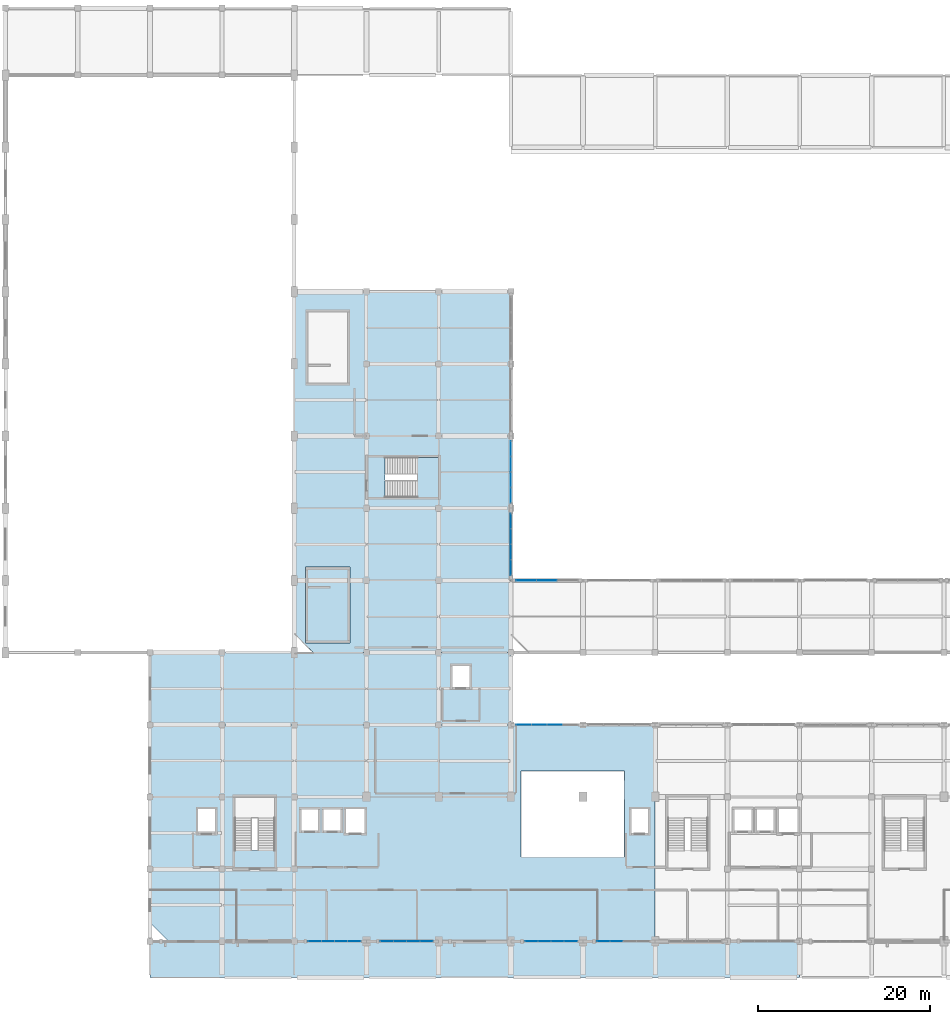
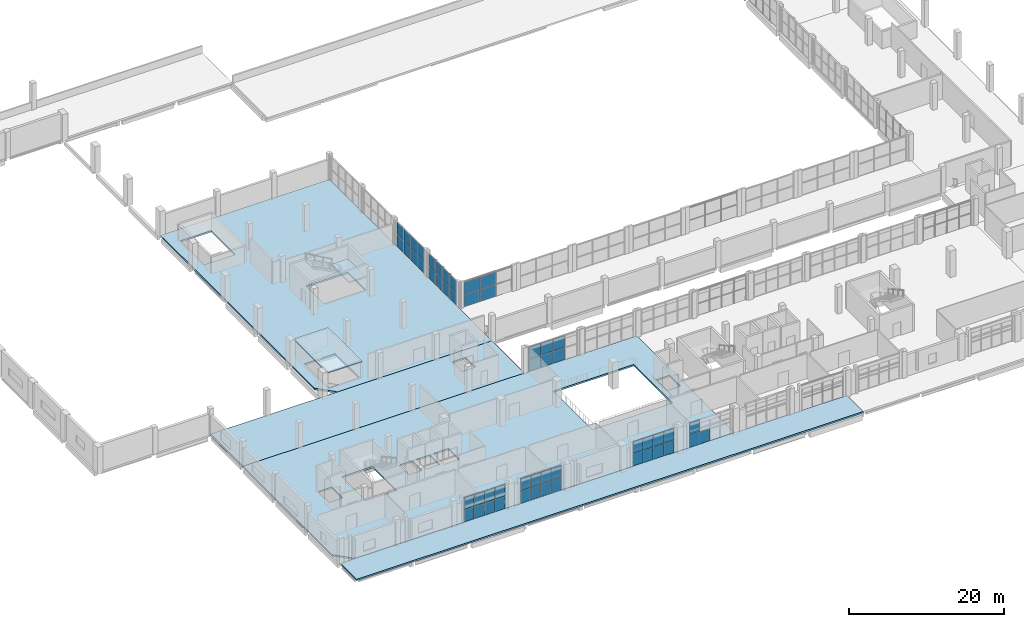
# One storey, part 40 of 59: 53 plates, 6 slabs, 9 elements without a shape of their own.
"""IFC4 building model written with IfcOpenShell, lengths in metres."""

from ifc_helpers import new_model, si_unit, derived_unit, direction, frame, origin, origin_2d, place, context, subcontext, project, spatial, polyline, rectangle, outline, extrude, material, layer, layer_set, type_object, element, aggregate, save


model = new_model("IFC4")

# Units and contexts
model_context = context("Model", 3, precision=1e-05, world=origin(), true_north=direction((0.0, 1.0)))
body_context = subcontext(model_context, "Body", "Model", "MODEL_VIEW")
ifc_project = project(units=[si_unit("LENGTHUNIT", "METRE"), si_unit("AREAUNIT", "SQUARE_METRE"), si_unit("VOLUMEUNIT", "CUBIC_METRE"), si_unit("PLANEANGLEUNIT", "RADIAN"), si_unit("MASSUNIT", "GRAM", prefix="KILO"), derived_unit("THERMALTRANSMITTANCEUNIT", [(si_unit("POWERUNIT", "WATT"), 1), (si_unit("LENGTHUNIT", "METRE"), -2), (si_unit("THERMODYNAMICTEMPERATUREUNIT", "KELVIN"), -1)])], contexts=[model_context])

# Site, building, storey
site_placement = place(None, origin())
site = spatial("IfcSite", under=ifc_project, at=site_placement, CompositionType="ELEMENT")
building_placement = place(site_placement, origin())
building = spatial("IfcBuilding", under=site, at=building_placement, Name="Barrovel Congress Hotel", CompositionType="ELEMENT")
storey_placement = place(building_placement, frame((0.0, 0.0, 9.89990234375)))
storey = spatial("IfcBuildingStorey", under=building, at=storey_placement, Name="L02", CompositionType="ELEMENT", Elevation=9.89990234375)

# Curtain wall, plates
ifc_material_1 = material(Name="Anodised Aluminium Alloy 6063-T6", Category="aluminium")
curtain_wall_type = type_object("IfcCurtainWallType", Name="CW-ST-7200x3600", PredefinedType="USERDEFINED", material=ifc_material_1)
curtain_wall_1_placement = place(storey_placement, origin())
curtain_wall_1 = element("IfcCurtainWall", 1, at=curtain_wall_1_placement, inside=storey, type_object=curtain_wall_type, Name="CW:L02:S:05", ObjectType="STICK CURTAIN WALL", PredefinedType="USERDEFINED")
ifc_material_2 = material(Name="Double Low-E Insulated Glazing", Category="glass")
ifc_layer_1 = layer(ifc_material_2, 0.028076171875)
ifc_layer_set_1 = layer_set([ifc_layer_1], Name="Double Low-E Insulated Glazing")
plate_type_1 = type_object("IfcPlateType", Name="CWP-28", PredefinedType="CURTAIN_PANEL", material=ifc_layer_set_1)
plate_1_placement = place(storey_placement, frame((44.385009765625, 4.199951171875, 0.030029296875), z_axis=(0.0, 0.0, 1.0), x_axis=(1.0, 0.0, 0.0)))
plate_1 = element("IfcPlate", 2, at=plate_1_placement, type_object=plate_type_1, Name="CW:L02:S:05:P0-0", PredefinedType="CURTAIN_PANEL", context=body_context, shape_type="SweptSolid", body=[
    extrude(rectangle(XDim=1.469970703125, YDim=0.028076171875, at=origin_2d()), origin(), (0.0, 0.0, 1.0), 1.89990234375),
])
plate_2_placement = place(storey_placement, frame((44.385009765625, 4.199951171875, 1.990234375), z_axis=(0.0, 0.0, 1.0), x_axis=(1.0, 0.0, 0.0)))
plate_2 = element("IfcPlate", 3, at=plate_2_placement, type_object=plate_type_1, Name="CW:L02:S:05:P0-1", PredefinedType="CURTAIN_PANEL", context=body_context, shape_type="SweptSolid", body=[
    extrude(rectangle(XDim=1.469970703125, YDim=0.028076171875, at=origin_2d()), origin(), (0.0, 0.0, 1.0), 1.89990234375),
])
plate_3_placement = place(storey_placement, frame((45.9150390625, 4.199951171875, 0.030029296875), z_axis=(0.0, 0.0, 1.0), x_axis=(1.0, 0.0, 0.0)))
plate_3 = element("IfcPlate", 4, at=plate_3_placement, type_object=plate_type_1, Name="CW:L02:S:05:P1-0", PredefinedType="CURTAIN_PANEL", context=body_context, shape_type="SweptSolid", body=[
    extrude(rectangle(XDim=1.469970703125, YDim=0.028076171875, at=origin_2d()), origin(), (0.0, 0.0, 1.0), 1.89990234375),
])
plate_4_placement = place(storey_placement, frame((45.9150390625, 4.199951171875, 1.990234375), z_axis=(0.0, 0.0, 1.0), x_axis=(1.0, 0.0, 0.0)))
plate_4 = element("IfcPlate", 5, at=plate_4_placement, type_object=plate_type_1, Name="CW:L02:S:05:P1-1", PredefinedType="CURTAIN_PANEL", context=body_context, shape_type="SweptSolid", body=[
    extrude(rectangle(XDim=1.469970703125, YDim=0.028076171875, at=origin_2d()), origin(), (0.0, 0.0, 1.0), 1.89990234375),
])
plate_5_placement = place(storey_placement, frame((47.445068359375, 4.199951171875, 0.030029296875), z_axis=(0.0, 0.0, 1.0), x_axis=(1.0, 0.0, 0.0)))
plate_5 = element("IfcPlate", 6, at=plate_5_placement, type_object=plate_type_1, Name="CW:L02:S:05:P2-0", PredefinedType="CURTAIN_PANEL", context=body_context, shape_type="SweptSolid", body=[
    extrude(rectangle(XDim=1.469970703125, YDim=0.028076171875, at=origin_2d()), origin(), (0.0, 0.0, 1.0), 1.89990234375),
])
plate_6_placement = place(storey_placement, frame((47.445068359375, 4.199951171875, 1.990234375), z_axis=(0.0, 0.0, 1.0), x_axis=(1.0, 0.0, 0.0)))
plate_6 = element("IfcPlate", 7, at=plate_6_placement, type_object=plate_type_1, Name="CW:L02:S:05:P2-1", PredefinedType="CURTAIN_PANEL", context=body_context, shape_type="SweptSolid", body=[
    extrude(rectangle(XDim=1.469970703125, YDim=0.028076171875, at=origin_2d()), origin(), (0.0, 0.0, 1.0), 1.89990234375),
])
plate_7_placement = place(storey_placement, frame((48.97509765625, 4.199951171875, 0.030029296875), z_axis=(0.0, 0.0, 1.0), x_axis=(1.0, 0.0, 0.0)))
plate_7 = element("IfcPlate", 8, at=plate_7_placement, type_object=plate_type_1, Name="CW:L02:S:05:P3-0", PredefinedType="CURTAIN_PANEL", context=body_context, shape_type="SweptSolid", body=[
    extrude(rectangle(XDim=1.469970703125, YDim=0.028076171875, at=origin_2d()), origin(), (0.0, 0.0, 1.0), 1.89990234375),
])
plate_8_placement = place(storey_placement, frame((48.97509765625, 4.199951171875, 1.990234375), z_axis=(0.0, 0.0, 1.0), x_axis=(1.0, 0.0, 0.0)))
plate_8 = element("IfcPlate", 9, at=plate_8_placement, type_object=plate_type_1, Name="CW:L02:S:05:P3-1", PredefinedType="CURTAIN_PANEL", context=body_context, shape_type="SweptSolid", body=[
    extrude(rectangle(XDim=1.469970703125, YDim=0.028076171875, at=origin_2d()), origin(), (0.0, 0.0, 1.0), 1.89990234375),
])
aggregate(curtain_wall_1, [plate_1, plate_2, plate_3, plate_4, plate_5, plate_6, plate_7, plate_8])

curtain_wall_2_placement = place(storey_placement, origin())
curtain_wall_2 = element("IfcCurtainWall", 10, at=curtain_wall_2_placement, inside=storey, type_object=curtain_wall_type, Name="CW:L02:S:08", ObjectType="STICK CURTAIN WALL", PredefinedType="USERDEFINED")
plate_9_placement = place(storey_placement, frame((69.5849609375, 4.199951171875, 0.030029296875), z_axis=(0.0, 0.0, 1.0), x_axis=(1.0, 0.0, 0.0)))
plate_9 = element("IfcPlate", 11, at=plate_9_placement, type_object=plate_type_1, Name="CW:L02:S:08:P0-0", PredefinedType="CURTAIN_PANEL", context=body_context, shape_type="SweptSolid", body=[
    extrude(rectangle(XDim=1.469970703125, YDim=0.028076171875, at=origin_2d()), origin(), (0.0, 0.0, 1.0), 1.89990234375),
])
plate_10_placement = place(storey_placement, frame((69.5849609375, 4.199951171875, 1.990234375), z_axis=(0.0, 0.0, 1.0), x_axis=(1.0, 0.0, 0.0)))
plate_10 = element("IfcPlate", 12, at=plate_10_placement, type_object=plate_type_1, Name="CW:L02:S:08:P0-1", PredefinedType="CURTAIN_PANEL", context=body_context, shape_type="SweptSolid", body=[
    extrude(rectangle(XDim=1.469970703125, YDim=0.028076171875, at=origin_2d()), origin(), (0.0, 0.0, 1.0), 1.89990234375),
])
plate_11_placement = place(storey_placement, frame((71.114990234375, 4.199951171875, 0.030029296875), z_axis=(0.0, 0.0, 1.0), x_axis=(1.0, 0.0, 0.0)))
plate_11 = element("IfcPlate", 13, at=plate_11_placement, type_object=plate_type_1, Name="CW:L02:S:08:P1-0", PredefinedType="CURTAIN_PANEL", context=body_context, shape_type="SweptSolid", body=[
    extrude(rectangle(XDim=1.469970703125, YDim=0.028076171875, at=origin_2d()), origin(), (0.0, 0.0, 1.0), 1.89990234375),
])
aggregate(curtain_wall_2, [plate_9, plate_10, plate_11])

curtain_wall_3_placement = place(storey_placement, origin())
curtain_wall_3 = element("IfcCurtainWall", 14, at=curtain_wall_3_placement, inside=storey, type_object=curtain_wall_type, Name="CW:L02:CW:46.2", ObjectType="STICK CURTAIN WALL", PredefinedType="USERDEFINED")
plate_12_placement = place(storey_placement, frame((58.800048828125, 47.699951171875, 0.030029296875), z_axis=(0.0, 0.0, 1.0), x_axis=(0.0, 1.0, 0.0)))
plate_12 = element("IfcPlate", 15, at=plate_12_placement, type_object=plate_type_1, Name="CW:L02:CW:46.2:P0-0", PredefinedType="CURTAIN_PANEL", context=body_context, shape_type="SweptSolid", body=[
    extrude(rectangle(XDim=1.739990234375, YDim=0.028076171875, at=origin_2d()), origin(), (0.0, 0.0, 1.0), 1.89990234375),
])
plate_13_placement = place(storey_placement, frame((58.800048828125, 47.699951171875, 1.990234375), z_axis=(0.0, 0.0, 1.0), x_axis=(0.0, 1.0, 0.0)))
plate_13 = element("IfcPlate", 16, at=plate_13_placement, type_object=plate_type_1, Name="CW:L02:CW:46.2:P0-1", PredefinedType="CURTAIN_PANEL", context=body_context, shape_type="SweptSolid", body=[
    extrude(rectangle(XDim=1.739990234375, YDim=0.028076171875, at=origin_2d()), origin(), (0.0, 0.0, 1.0), 1.89990234375),
])
plate_14_placement = place(storey_placement, frame((58.800048828125, 49.5, 0.030029296875), z_axis=(0.0, 0.0, 1.0), x_axis=(0.0, 1.0, 0.0)))
plate_14 = element("IfcPlate", 17, at=plate_14_placement, type_object=plate_type_1, Name="CW:L02:CW:46.2:P1-0", PredefinedType="CURTAIN_PANEL", context=body_context, shape_type="SweptSolid", body=[
    extrude(rectangle(XDim=1.739990234375, YDim=0.028076171875, at=origin_2d()), origin(), (0.0, 0.0, 1.0), 1.89990234375),
])
plate_15_placement = place(storey_placement, frame((58.800048828125, 49.5, 1.990234375), z_axis=(0.0, 0.0, 1.0), x_axis=(0.0, 1.0, 0.0)))
plate_15 = element("IfcPlate", 18, at=plate_15_placement, type_object=plate_type_1, Name="CW:L02:CW:46.2:P1-1", PredefinedType="CURTAIN_PANEL", context=body_context, shape_type="SweptSolid", body=[
    extrude(rectangle(XDim=1.739990234375, YDim=0.028076171875, at=origin_2d()), origin(), (0.0, 0.0, 1.0), 1.89990234375),
])
plate_16_placement = place(storey_placement, frame((58.800048828125, 51.300048828125, 0.030029296875), z_axis=(0.0, 0.0, 1.0), x_axis=(0.0, 1.0, 0.0)))
plate_16 = element("IfcPlate", 19, at=plate_16_placement, type_object=plate_type_1, Name="CW:L02:CW:46.2:P2-0", PredefinedType="CURTAIN_PANEL", context=body_context, shape_type="SweptSolid", body=[
    extrude(rectangle(XDim=1.739990234375, YDim=0.028076171875, at=origin_2d()), origin(), (0.0, 0.0, 1.0), 1.89990234375),
])
plate_17_placement = place(storey_placement, frame((58.800048828125, 51.300048828125, 1.990234375), z_axis=(0.0, 0.0, 1.0), x_axis=(0.0, 1.0, 0.0)))
plate_17 = element("IfcPlate", 20, at=plate_17_placement, type_object=plate_type_1, Name="CW:L02:CW:46.2:P2-1", PredefinedType="CURTAIN_PANEL", context=body_context, shape_type="SweptSolid", body=[
    extrude(rectangle(XDim=1.739990234375, YDim=0.028076171875, at=origin_2d()), origin(), (0.0, 0.0, 1.0), 1.89990234375),
])
plate_18_placement = place(storey_placement, frame((58.800048828125, 53.10009765625, 0.030029296875), z_axis=(0.0, 0.0, 1.0), x_axis=(0.0, 1.0, 0.0)))
plate_18 = element("IfcPlate", 21, at=plate_18_placement, type_object=plate_type_1, Name="CW:L02:CW:46.2:P3-0", PredefinedType="CURTAIN_PANEL", context=body_context, shape_type="SweptSolid", body=[
    extrude(rectangle(XDim=1.739990234375, YDim=0.028076171875, at=origin_2d()), origin(), (0.0, 0.0, 1.0), 1.89990234375),
])
plate_19_placement = place(storey_placement, frame((58.800048828125, 53.10009765625, 1.990234375), z_axis=(0.0, 0.0, 1.0), x_axis=(0.0, 1.0, 0.0)))
plate_19 = element("IfcPlate", 22, at=plate_19_placement, type_object=plate_type_1, Name="CW:L02:CW:46.2:P3-1", PredefinedType="CURTAIN_PANEL", context=body_context, shape_type="SweptSolid", body=[
    extrude(rectangle(XDim=1.739990234375, YDim=0.028076171875, at=origin_2d()), origin(), (0.0, 0.0, 1.0), 1.89990234375),
])
aggregate(curtain_wall_3, [plate_12, plate_13, plate_14, plate_15, plate_16, plate_17, plate_18, plate_19])

curtain_wall_4_placement = place(storey_placement, origin())
curtain_wall_4 = element("IfcCurtainWall", 23, at=curtain_wall_4_placement, inside=storey, type_object=curtain_wall_type, Name="CW:L02:CL:07", ObjectType="STICK CURTAIN WALL", PredefinedType="USERDEFINED")
plate_20_placement = place(storey_placement, frame((63.0, 46.199951171875, 0.030029296875), z_axis=(0.0, 0.0, 1.0), x_axis=(-1.0, 0.0, 0.0)))
plate_20 = element("IfcPlate", 24, at=plate_20_placement, type_object=plate_type_1, Name="CW:L02:CL:07:P1-0", PredefinedType="CURTAIN_PANEL", context=body_context, shape_type="SweptSolid", body=[
    extrude(rectangle(XDim=2.340087890625, YDim=0.028076171875, at=origin_2d()), origin(), (0.0, 0.0, 1.0), 1.89990234375),
])
plate_21_placement = place(storey_placement, frame((63.0, 46.199951171875, 1.990234375), z_axis=(0.0, 0.0, 1.0), x_axis=(-1.0, 0.0, 0.0)))
plate_21 = element("IfcPlate", 25, at=plate_21_placement, type_object=plate_type_1, Name="CW:L02:CL:07:P1-1", PredefinedType="CURTAIN_PANEL", context=body_context, shape_type="SweptSolid", body=[
    extrude(rectangle(XDim=2.340087890625, YDim=0.028076171875, at=origin_2d()), origin(), (0.0, 0.0, 1.0), 1.89990234375),
])
plate_22_placement = place(storey_placement, frame((60.60009765625, 46.199951171875, 0.030029296875), z_axis=(0.0, 0.0, 1.0), x_axis=(-1.0, 0.0, 0.0)))
plate_22 = element("IfcPlate", 26, at=plate_22_placement, type_object=plate_type_1, Name="CW:L02:CL:07:P2-0", PredefinedType="CURTAIN_PANEL", context=body_context, shape_type="SweptSolid", body=[
    extrude(rectangle(XDim=2.340087890625, YDim=0.028076171875, at=origin_2d()), origin(), (0.0, 0.0, 1.0), 1.89990234375),
])
plate_23_placement = place(storey_placement, frame((60.60009765625, 46.199951171875, 1.990234375), z_axis=(0.0, 0.0, 1.0), x_axis=(-1.0, 0.0, 0.0)))
plate_23 = element("IfcPlate", 27, at=plate_23_placement, type_object=plate_type_1, Name="CW:L02:CL:07:P2-1", PredefinedType="CURTAIN_PANEL", context=body_context, shape_type="SweptSolid", body=[
    extrude(rectangle(XDim=2.340087890625, YDim=0.028076171875, at=origin_2d()), origin(), (0.0, 0.0, 1.0), 1.89990234375),
])
aggregate(curtain_wall_4, [plate_20, plate_21, plate_22, plate_23])

curtain_wall_5_placement = place(storey_placement, origin())
curtain_wall_5 = element("IfcCurtainWall", 28, at=curtain_wall_5_placement, inside=storey, type_object=curtain_wall_type, Name="CW:L02:S:04", ObjectType="STICK CURTAIN WALL", PredefinedType="USERDEFINED")
ifc_layer_2 = layer(ifc_material_2, 0.031982421875)
ifc_layer_set_2 = layer_set([ifc_layer_2], Name="Double Low-E Insulated Glazing")
plate_type_2 = type_object("IfcPlateType", Name="CWP-32", PredefinedType="CURTAIN_PANEL", material=ifc_layer_set_2)
plate_24_placement = place(storey_placement, frame((35.985107421875, 4.199951171875, 0.030029296875), z_axis=(0.0, 0.0, 1.0), x_axis=(1.0, 0.0, 0.0)))
plate_24 = element("IfcPlate", 29, at=plate_24_placement, type_object=plate_type_2, Name="CW:L02:S:04:P0-0", PredefinedType="CURTAIN_PANEL", context=body_context, shape_type="SweptSolid", body=[
    extrude(rectangle(XDim=1.469970703125, YDim=0.031982421875, at=origin_2d()), origin(), (0.0, 0.0, 1.0), 1.89990234375),
])
plate_25_placement = place(storey_placement, frame((35.985107421875, 4.199951171875, 1.990234375), z_axis=(0.0, 0.0, 1.0), x_axis=(1.0, 0.0, 0.0)))
plate_25 = element("IfcPlate", 30, at=plate_25_placement, type_object=plate_type_2, Name="CW:L02:S:04:P0-1", PredefinedType="CURTAIN_PANEL", context=body_context, shape_type="SweptSolid", body=[
    extrude(rectangle(XDim=1.469970703125, YDim=0.031982421875, at=origin_2d()), origin(), (0.0, 0.0, 1.0), 1.89990234375),
])
plate_26_placement = place(storey_placement, frame((37.514892578125, 4.199951171875, 0.030029296875), z_axis=(0.0, 0.0, 1.0), x_axis=(1.0, 0.0, 0.0)))
plate_26 = element("IfcPlate", 31, at=plate_26_placement, type_object=plate_type_2, Name="CW:L02:S:04:P1-0", PredefinedType="CURTAIN_PANEL", context=body_context, shape_type="SweptSolid", body=[
    extrude(rectangle(XDim=1.469970703125, YDim=0.031982421875, at=origin_2d()), origin(), (0.0, 0.0, 1.0), 1.89990234375),
])
plate_27_placement = place(storey_placement, frame((37.514892578125, 4.199951171875, 1.990234375), z_axis=(0.0, 0.0, 1.0), x_axis=(1.0, 0.0, 0.0)))
plate_27 = element("IfcPlate", 32, at=plate_27_placement, type_object=plate_type_2, Name="CW:L02:S:04:P1-1", PredefinedType="CURTAIN_PANEL", context=body_context, shape_type="SweptSolid", body=[
    extrude(rectangle(XDim=1.469970703125, YDim=0.031982421875, at=origin_2d()), origin(), (0.0, 0.0, 1.0), 1.89990234375),
])
plate_28_placement = place(storey_placement, frame((39.044921875, 4.199951171875, 0.030029296875), z_axis=(0.0, 0.0, 1.0), x_axis=(1.0, 0.0, 0.0)))
plate_28 = element("IfcPlate", 33, at=plate_28_placement, type_object=plate_type_2, Name="CW:L02:S:04:P2-0", PredefinedType="CURTAIN_PANEL", context=body_context, shape_type="SweptSolid", body=[
    extrude(rectangle(XDim=1.469970703125, YDim=0.031982421875, at=origin_2d()), origin(), (0.0, 0.0, 1.0), 1.89990234375),
])
plate_29_placement = place(storey_placement, frame((39.044921875, 4.199951171875, 1.990234375), z_axis=(0.0, 0.0, 1.0), x_axis=(1.0, 0.0, 0.0)))
plate_29 = element("IfcPlate", 34, at=plate_29_placement, type_object=plate_type_2, Name="CW:L02:S:04:P2-1", PredefinedType="CURTAIN_PANEL", context=body_context, shape_type="SweptSolid", body=[
    extrude(rectangle(XDim=1.469970703125, YDim=0.031982421875, at=origin_2d()), origin(), (0.0, 0.0, 1.0), 1.89990234375),
])
plate_30_placement = place(storey_placement, frame((40.574951171875, 4.199951171875, 0.030029296875), z_axis=(0.0, 0.0, 1.0), x_axis=(1.0, 0.0, 0.0)))
plate_30 = element("IfcPlate", 35, at=plate_30_placement, type_object=plate_type_2, Name="CW:L02:S:04:P3-0", PredefinedType="CURTAIN_PANEL", context=body_context, shape_type="SweptSolid", body=[
    extrude(rectangle(XDim=1.469970703125, YDim=0.031982421875, at=origin_2d()), origin(), (0.0, 0.0, 1.0), 1.89990234375),
])
plate_31_placement = place(storey_placement, frame((40.574951171875, 4.199951171875, 1.990234375), z_axis=(0.0, 0.0, 1.0), x_axis=(1.0, 0.0, 0.0)))
plate_31 = element("IfcPlate", 36, at=plate_31_placement, type_object=plate_type_2, Name="CW:L02:S:04:P3-1", PredefinedType="CURTAIN_PANEL", context=body_context, shape_type="SweptSolid", body=[
    extrude(rectangle(XDim=1.469970703125, YDim=0.031982421875, at=origin_2d()), origin(), (0.0, 0.0, 1.0), 1.89990234375),
])
aggregate(curtain_wall_5, [plate_24, plate_25, plate_26, plate_27, plate_28, plate_29, plate_30, plate_31])

curtain_wall_6_placement = place(storey_placement, origin())
curtain_wall_6 = element("IfcCurtainWall", 37, at=curtain_wall_6_placement, inside=storey, type_object=curtain_wall_type, Name="CW:L02:S:07", ObjectType="STICK CURTAIN WALL", PredefinedType="USERDEFINED")
plate_32_placement = place(storey_placement, frame((61.18505859375, 4.199951171875, 0.030029296875), z_axis=(0.0, 0.0, 1.0), x_axis=(1.0, 0.0, 0.0)))
plate_32 = element("IfcPlate", 38, at=plate_32_placement, type_object=plate_type_2, Name="CW:L02:S:07:P0-0", PredefinedType="CURTAIN_PANEL", context=body_context, shape_type="SweptSolid", body=[
    extrude(rectangle(XDim=1.469970703125, YDim=0.031982421875, at=origin_2d()), origin(), (0.0, 0.0, 1.0), 1.89990234375),
])
plate_33_placement = place(storey_placement, frame((61.18505859375, 4.199951171875, 1.990234375), z_axis=(0.0, 0.0, 1.0), x_axis=(1.0, 0.0, 0.0)))
plate_33 = element("IfcPlate", 39, at=plate_33_placement, type_object=plate_type_2, Name="CW:L02:S:07:P0-1", PredefinedType="CURTAIN_PANEL", context=body_context, shape_type="SweptSolid", body=[
    extrude(rectangle(XDim=1.469970703125, YDim=0.031982421875, at=origin_2d()), origin(), (0.0, 0.0, 1.0), 1.89990234375),
])
plate_34_placement = place(storey_placement, frame((62.715087890625, 4.199951171875, 0.030029296875), z_axis=(0.0, 0.0, 1.0), x_axis=(1.0, 0.0, 0.0)))
plate_34 = element("IfcPlate", 40, at=plate_34_placement, type_object=plate_type_2, Name="CW:L02:S:07:P1-0", PredefinedType="CURTAIN_PANEL", context=body_context, shape_type="SweptSolid", body=[
    extrude(rectangle(XDim=1.469970703125, YDim=0.031982421875, at=origin_2d()), origin(), (0.0, 0.0, 1.0), 1.89990234375),
])
plate_35_placement = place(storey_placement, frame((62.715087890625, 4.199951171875, 1.990234375), z_axis=(0.0, 0.0, 1.0), x_axis=(1.0, 0.0, 0.0)))
plate_35 = element("IfcPlate", 41, at=plate_35_placement, type_object=plate_type_2, Name="CW:L02:S:07:P1-1", PredefinedType="CURTAIN_PANEL", context=body_context, shape_type="SweptSolid", body=[
    extrude(rectangle(XDim=1.469970703125, YDim=0.031982421875, at=origin_2d()), origin(), (0.0, 0.0, 1.0), 1.89990234375),
])
plate_36_placement = place(storey_placement, frame((64.2451171875, 4.199951171875, 0.030029296875), z_axis=(0.0, 0.0, 1.0), x_axis=(1.0, 0.0, 0.0)))
plate_36 = element("IfcPlate", 42, at=plate_36_placement, type_object=plate_type_2, Name="CW:L02:S:07:P2-0", PredefinedType="CURTAIN_PANEL", context=body_context, shape_type="SweptSolid", body=[
    extrude(rectangle(XDim=1.469970703125, YDim=0.031982421875, at=origin_2d()), origin(), (0.0, 0.0, 1.0), 1.89990234375),
])
plate_37_placement = place(storey_placement, frame((64.2451171875, 4.199951171875, 1.990234375), z_axis=(0.0, 0.0, 1.0), x_axis=(1.0, 0.0, 0.0)))
plate_37 = element("IfcPlate", 43, at=plate_37_placement, type_object=plate_type_2, Name="CW:L02:S:07:P2-1", PredefinedType="CURTAIN_PANEL", context=body_context, shape_type="SweptSolid", body=[
    extrude(rectangle(XDim=1.469970703125, YDim=0.031982421875, at=origin_2d()), origin(), (0.0, 0.0, 1.0), 1.89990234375),
])
plate_38_placement = place(storey_placement, frame((65.77490234375, 4.199951171875, 0.030029296875), z_axis=(0.0, 0.0, 1.0), x_axis=(1.0, 0.0, 0.0)))
plate_38 = element("IfcPlate", 44, at=plate_38_placement, type_object=plate_type_2, Name="CW:L02:S:07:P3-0", PredefinedType="CURTAIN_PANEL", context=body_context, shape_type="SweptSolid", body=[
    extrude(rectangle(XDim=1.469970703125, YDim=0.031982421875, at=origin_2d()), origin(), (0.0, 0.0, 1.0), 1.89990234375),
])
plate_39_placement = place(storey_placement, frame((65.77490234375, 4.199951171875, 1.990234375), z_axis=(0.0, 0.0, 1.0), x_axis=(1.0, 0.0, 0.0)))
plate_39 = element("IfcPlate", 45, at=plate_39_placement, type_object=plate_type_2, Name="CW:L02:S:07:P3-1", PredefinedType="CURTAIN_PANEL", context=body_context, shape_type="SweptSolid", body=[
    extrude(rectangle(XDim=1.469970703125, YDim=0.031982421875, at=origin_2d()), origin(), (0.0, 0.0, 1.0), 1.89990234375),
])
aggregate(curtain_wall_6, [plate_32, plate_33, plate_34, plate_35, plate_36, plate_37, plate_38, plate_39])

curtain_wall_7_placement = place(storey_placement, origin())
curtain_wall_7 = element("IfcCurtainWall", 46, at=curtain_wall_7_placement, inside=storey, type_object=curtain_wall_type, Name="CW:L02:CS:07", ObjectType="STICK CURTAIN WALL", PredefinedType="USERDEFINED")
plate_40_placement = place(storey_placement, frame((63.89990234375, 29.39990234375, 0.030029296875), z_axis=(0.0, 0.0, 1.0), x_axis=(-1.0, 0.0, 0.0)))
plate_40 = element("IfcPlate", 47, at=plate_40_placement, type_object=plate_type_2, Name="CW:L02:CS:07:P1-0", PredefinedType="CURTAIN_PANEL", context=body_context, shape_type="SweptSolid", body=[
    extrude(rectangle(XDim=1.739990234375, YDim=0.031982421875, at=origin_2d()), origin(), (0.0, 0.0, 1.0), 1.89990234375),
])
plate_41_placement = place(storey_placement, frame((63.89990234375, 29.39990234375, 1.990234375), z_axis=(0.0, 0.0, 1.0), x_axis=(-1.0, 0.0, 0.0)))
plate_41 = element("IfcPlate", 48, at=plate_41_placement, type_object=plate_type_2, Name="CW:L02:CS:07:P1-1", PredefinedType="CURTAIN_PANEL", context=body_context, shape_type="SweptSolid", body=[
    extrude(rectangle(XDim=1.739990234375, YDim=0.031982421875, at=origin_2d()), origin(), (0.0, 0.0, 1.0), 1.89990234375),
])
plate_42_placement = place(storey_placement, frame((62.10009765625, 29.39990234375, 0.030029296875), z_axis=(0.0, 0.0, 1.0), x_axis=(-1.0, 0.0, 0.0)))
plate_42 = element("IfcPlate", 49, at=plate_42_placement, type_object=plate_type_2, Name="CW:L02:CS:07:P2-0", PredefinedType="CURTAIN_PANEL", context=body_context, shape_type="SweptSolid", body=[
    extrude(rectangle(XDim=1.739990234375, YDim=0.031982421875, at=origin_2d()), origin(), (0.0, 0.0, 1.0), 1.89990234375),
])
plate_43_placement = place(storey_placement, frame((62.10009765625, 29.39990234375, 1.990234375), z_axis=(0.0, 0.0, 1.0), x_axis=(-1.0, 0.0, 0.0)))
plate_43 = element("IfcPlate", 50, at=plate_43_placement, type_object=plate_type_2, Name="CW:L02:CS:07:P2-1", PredefinedType="CURTAIN_PANEL", context=body_context, shape_type="SweptSolid", body=[
    extrude(rectangle(XDim=1.739990234375, YDim=0.031982421875, at=origin_2d()), origin(), (0.0, 0.0, 1.0), 1.89990234375),
])
plate_44_placement = place(storey_placement, frame((60.300048828125, 29.39990234375, 0.030029296875), z_axis=(0.0, 0.0, 1.0), x_axis=(-1.0, 0.0, 0.0)))
plate_44 = element("IfcPlate", 51, at=plate_44_placement, type_object=plate_type_2, Name="CW:L02:CS:07:P3-0", PredefinedType="CURTAIN_PANEL", context=body_context, shape_type="SweptSolid", body=[
    extrude(rectangle(XDim=1.739990234375, YDim=0.031982421875, at=origin_2d()), origin(), (0.0, 0.0, 1.0), 1.89990234375),
])
plate_45_placement = place(storey_placement, frame((60.300048828125, 29.39990234375, 1.990234375), z_axis=(0.0, 0.0, 1.0), x_axis=(-1.0, 0.0, 0.0)))
plate_45 = element("IfcPlate", 52, at=plate_45_placement, type_object=plate_type_2, Name="CW:L02:CS:07:P3-1", PredefinedType="CURTAIN_PANEL", context=body_context, shape_type="SweptSolid", body=[
    extrude(rectangle(XDim=1.739990234375, YDim=0.031982421875, at=origin_2d()), origin(), (0.0, 0.0, 1.0), 1.89990234375),
])
aggregate(curtain_wall_7, [plate_40, plate_41, plate_42, plate_43, plate_44, plate_45])

curtain_wall_8_placement = place(storey_placement, origin())
curtain_wall_8 = element("IfcCurtainWall", 53, at=curtain_wall_8_placement, inside=storey, type_object=curtain_wall_type, Name="CW:L02:CW:54.6", ObjectType="STICK CURTAIN WALL", PredefinedType="USERDEFINED")
plate_46_placement = place(storey_placement, frame((58.800048828125, 56.10009765625, 0.030029296875), z_axis=(0.0, 0.0, 1.0), x_axis=(0.0, 1.0, 0.0)))
plate_46 = element("IfcPlate", 54, at=plate_46_placement, type_object=plate_type_2, Name="CW:L02:CW:54.6:P0-0", PredefinedType="CURTAIN_PANEL", context=body_context, shape_type="SweptSolid", body=[
    extrude(rectangle(XDim=1.739990234375, YDim=0.031982421875, at=origin_2d()), origin(), (0.0, 0.0, 1.0), 1.89990234375),
])
plate_47_placement = place(storey_placement, frame((58.800048828125, 56.10009765625, 1.990234375), z_axis=(0.0, 0.0, 1.0), x_axis=(0.0, 1.0, 0.0)))
plate_47 = element("IfcPlate", 55, at=plate_47_placement, type_object=plate_type_2, Name="CW:L02:CW:54.6:P0-1", PredefinedType="CURTAIN_PANEL", context=body_context, shape_type="SweptSolid", body=[
    extrude(rectangle(XDim=1.739990234375, YDim=0.031982421875, at=origin_2d()), origin(), (0.0, 0.0, 1.0), 1.89990234375),
])
plate_48_placement = place(storey_placement, frame((58.800048828125, 57.89990234375, 0.030029296875), z_axis=(0.0, 0.0, 1.0), x_axis=(0.0, 1.0, 0.0)))
plate_48 = element("IfcPlate", 56, at=plate_48_placement, type_object=plate_type_2, Name="CW:L02:CW:54.6:P1-0", PredefinedType="CURTAIN_PANEL", context=body_context, shape_type="SweptSolid", body=[
    extrude(rectangle(XDim=1.739990234375, YDim=0.031982421875, at=origin_2d()), origin(), (0.0, 0.0, 1.0), 1.89990234375),
])
plate_49_placement = place(storey_placement, frame((58.800048828125, 57.89990234375, 1.990234375), z_axis=(0.0, 0.0, 1.0), x_axis=(0.0, 1.0, 0.0)))
plate_49 = element("IfcPlate", 57, at=plate_49_placement, type_object=plate_type_2, Name="CW:L02:CW:54.6:P1-1", PredefinedType="CURTAIN_PANEL", context=body_context, shape_type="SweptSolid", body=[
    extrude(rectangle(XDim=1.739990234375, YDim=0.031982421875, at=origin_2d()), origin(), (0.0, 0.0, 1.0), 1.89990234375),
])
plate_50_placement = place(storey_placement, frame((58.800048828125, 59.699951171875, 0.030029296875), z_axis=(0.0, 0.0, 1.0), x_axis=(0.0, 1.0, 0.0)))
plate_50 = element("IfcPlate", 58, at=plate_50_placement, type_object=plate_type_2, Name="CW:L02:CW:54.6:P2-0", PredefinedType="CURTAIN_PANEL", context=body_context, shape_type="SweptSolid", body=[
    extrude(rectangle(XDim=1.739990234375, YDim=0.031982421875, at=origin_2d()), origin(), (0.0, 0.0, 1.0), 1.89990234375),
])
plate_51_placement = place(storey_placement, frame((58.800048828125, 59.699951171875, 1.990234375), z_axis=(0.0, 0.0, 1.0), x_axis=(0.0, 1.0, 0.0)))
plate_51 = element("IfcPlate", 59, at=plate_51_placement, type_object=plate_type_2, Name="CW:L02:CW:54.6:P2-1", PredefinedType="CURTAIN_PANEL", context=body_context, shape_type="SweptSolid", body=[
    extrude(rectangle(XDim=1.739990234375, YDim=0.031982421875, at=origin_2d()), origin(), (0.0, 0.0, 1.0), 1.89990234375),
])
plate_52_placement = place(storey_placement, frame((58.800048828125, 61.5, 0.030029296875), z_axis=(0.0, 0.0, 1.0), x_axis=(0.0, 1.0, 0.0)))
plate_52 = element("IfcPlate", 60, at=plate_52_placement, type_object=plate_type_2, Name="CW:L02:CW:54.6:P3-0", PredefinedType="CURTAIN_PANEL", context=body_context, shape_type="SweptSolid", body=[
    extrude(rectangle(XDim=1.739990234375, YDim=0.031982421875, at=origin_2d()), origin(), (0.0, 0.0, 1.0), 1.89990234375),
])
plate_53_placement = place(storey_placement, frame((58.800048828125, 61.5, 1.990234375), z_axis=(0.0, 0.0, 1.0), x_axis=(0.0, 1.0, 0.0)))
plate_53 = element("IfcPlate", 61, at=plate_53_placement, type_object=plate_type_2, Name="CW:L02:CW:54.6:P3-1", PredefinedType="CURTAIN_PANEL", context=body_context, shape_type="SweptSolid", body=[
    extrude(rectangle(XDim=1.739990234375, YDim=0.031982421875, at=origin_2d()), origin(), (0.0, 0.0, 1.0), 1.89990234375),
])
aggregate(curtain_wall_8, [plate_46, plate_47, plate_48, plate_49, plate_50, plate_51, plate_52, plate_53])

# Slabs
ifc_material_3 = material(Name="Concrete C35", Category="concrete")
ifc_layer_3 = layer(ifc_material_3, 0.260009765625)
ifc_layer_set_3 = layer_set([ifc_layer_3], Name="Concrete C35")
slab_type_1 = type_object("IfcSlabType", Name="SL-F260", PredefinedType="FLOOR", material=ifc_layer_set_3)
slab_1_placement = place(storey_placement, frame((0.0, 0.0, -0.260009765625)))
element("IfcSlab", 62, at=slab_1_placement, inside=storey, type_object=slab_type_1, Name="SLAB:L02:V4-1", PredefinedType="FLOOR", context=body_context, shape_type="SweptSolid", body=[
    extrude(outline(polyline([(19.0, 4.199951171875), (75.60009765625, 4.199951171875), (75.60009765625, 29.39990234375), (16.800048828125, 29.39990234375), (16.800048828125, 6.39990234375), (19.0, 4.199951171875)]), holes=[polyline([(26.699951171875, 14.780029296875), (26.699951171875, 21.0), (31.300048828125, 21.0), (31.300048828125, 14.780029296875), (26.699951171875, 14.780029296875)]), polyline([(22.39990234375, 16.800048828125), (22.39990234375, 19.60009765625), (24.39990234375, 19.60009765625), (24.39990234375, 16.800048828125), (22.39990234375, 16.800048828125)]), polyline([(72.800048828125, 16.800048828125), (72.800048828125, 19.60009765625), (74.800048828125, 19.60009765625), (74.800048828125, 16.800048828125), (72.800048828125, 16.800048828125)]), polyline([(34.39990234375, 17.050048828125), (34.39990234375, 19.550048828125), (36.39990234375, 19.550048828125), (36.39990234375, 17.050048828125), (34.39990234375, 17.050048828125)]), polyline([(37.0, 17.050048828125), (37.0, 19.550048828125), (39.0, 19.550048828125), (39.0, 17.050048828125), (37.0, 17.050048828125)]), polyline([(39.60009765625, 16.800048828125), (39.60009765625, 19.60009765625), (41.800048828125, 19.60009765625), (41.800048828125, 16.800048828125), (39.60009765625, 16.800048828125)]), polyline([(60.0, 14.0), (60.0, 24.0), (72.0, 24.0), (72.0, 14.0), (60.0, 14.0)])]), origin(), (0.0, 0.0, 1.0), 0.260009765625),
])
slab_2_placement = place(storey_placement, frame((0.0, 0.0, -0.260009765625)))
element("IfcSlab", 63, at=slab_2_placement, inside=storey, type_object=slab_type_1, Name="SLAB:L02:V4-4", PredefinedType="FLOOR", context=body_context, shape_type="SweptSolid", body=[
    extrude(outline(polyline([(16.800048828125, 29.39990234375), (58.800048828125, 29.39990234375), (58.800048828125, 37.800048828125), (16.800048828125, 37.800048828125), (16.800048828125, 29.39990234375)]), holes=[polyline([(52.0, 33.75), (52.0, 36.25), (54.0, 36.25), (54.0, 33.75), (52.0, 33.75)])]), origin(), (0.0, 0.0, 1.0), 0.260009765625),
])
slab_3_placement = place(storey_placement, frame((0.0, 0.0, -0.260009765625)))
element("IfcSlab", 64, at=slab_3_placement, inside=storey, type_object=slab_type_1, Name="SLAB:L02:V1-FOYER", PredefinedType="FLOOR", context=body_context, shape_type="SweptSolid", body=[
    extrude(outline(polyline([(35.800048828125, 37.800048828125), (58.800048828125, 37.800048828125), (58.800048828125, 79.800048828125), (33.60009765625, 79.800048828125), (33.60009765625, 40.0), (35.800048828125, 37.800048828125)]), holes=[polyline([(44.179931640625, 55.89990234375), (44.179931640625, 60.5), (50.39990234375, 60.5), (50.39990234375, 55.89990234375), (44.179931640625, 55.89990234375)]), polyline([(35.199951171875, 71.219970703125), (35.199951171875, 77.43994140625), (39.800048828125, 77.43994140625), (39.800048828125, 71.219970703125), (35.199951171875, 71.219970703125)]), polyline([(35.199951171875, 39.199951171875), (35.199951171875, 45.419921875), (39.800048828125, 45.419921875), (39.800048828125, 39.199951171875), (35.199951171875, 39.199951171875)])]), origin(), (0.0, 0.0, 1.0), 0.260009765625),
])

# Stair, slab
ifc_material_4 = material(Name="Concrete C40", Category="concrete")
stair_type = type_object("IfcStairType", Name="STR-DR-420", PredefinedType="DOUBLE_RETURN_STAIR", material=ifc_material_4)
stair_placement = place(storey_placement, origin())
stair = element("IfcStair", 65, at=stair_placement, inside=storey, type_object=stair_type, Name="Exit Stair XS-05 (L02)", PredefinedType="DOUBLE_RETURN_STAIR")
ifc_layer_4 = layer(ifc_material_4, 0.2099609375)
ifc_layer_set_4 = layer_set([ifc_layer_4], Name="Concrete C40")
slab_type_2 = type_object("IfcSlabType", Name="SL-LDG-210", PredefinedType="LANDING", material=ifc_layer_set_4)
slab_4_placement = place(storey_placement, frame((0.0, 0.0, 1.89013671875)))
slab_4 = element("IfcSlab", 66, at=slab_4_placement, type_object=slab_type_2, Name="STAIR:XS-05:L02:LDG", PredefinedType="LANDING", context=body_context, shape_type="SweptSolid", body=[
    extrude(outline(polyline([(47.945068359375, 55.8798828125), (50.419921875, 55.8798828125), (50.419921875, 60.52001953125), (47.945068359375, 60.52001953125), (47.945068359375, 55.8798828125)])), origin(), (0.0, 0.0, 1.0), 0.2099609375),
])
aggregate(stair, [slab_4])

# Slabs
ifc_layer_5 = layer(ifc_material_3, 0.139892578125)
ifc_layer_set_5 = layer_set([ifc_layer_5], Name="Concrete C35")
slab_type_3 = type_object("IfcSlabType", Name="SL-R140", PredefinedType="ROOF", material=ifc_layer_set_5)
slab_5_placement = place(storey_placement, frame((0.0, 0.0, 2.510009765625)))
element("IfcSlab", 67, at=slab_5_placement, inside=storey, type_object=slab_type_3, Name="Stair Headhouse Roof XS-08", PredefinedType="ROOF", context=body_context, shape_type="SweptSolid", body=[
    extrude(outline(polyline([(34.89990234375, 38.89990234375), (40.10009765625, 38.89990234375), (40.10009765625, 47.739990234375), (34.89990234375, 47.739990234375), (34.89990234375, 38.89990234375)])), origin(), (0.0, 0.0, 1.0), 0.14013671875),
])
ifc_layer_6 = layer(ifc_material_3, 0.239990234375)
ifc_layer_set_6 = layer_set([ifc_layer_6], Name="Concrete C35")
slab_type_4 = type_object("IfcSlabType", Name="SL-R240", PredefinedType="ROOF", material=ifc_layer_set_6)
slab_6_placement = place(storey_placement, frame((0.0, 0.0, -0.239990234375)))
element("IfcSlab", 68, at=slab_6_placement, inside=storey, type_object=slab_type_4, Name="SLAB:L02:V5-ARCADE-ROOF-W", PredefinedType="ROOF", context=body_context, shape_type="SweptSolid", body=[
    extrude(outline(polyline([(16.800048828125, 0.0), (92.39990234375, 0.0), (92.39990234375, 4.199951171875), (16.800048828125, 4.199951171875), (16.800048828125, 0.0)])), origin(), (0.0, 0.0, 1.0), 0.239990234375),
])

save(model, "model.ifc")
